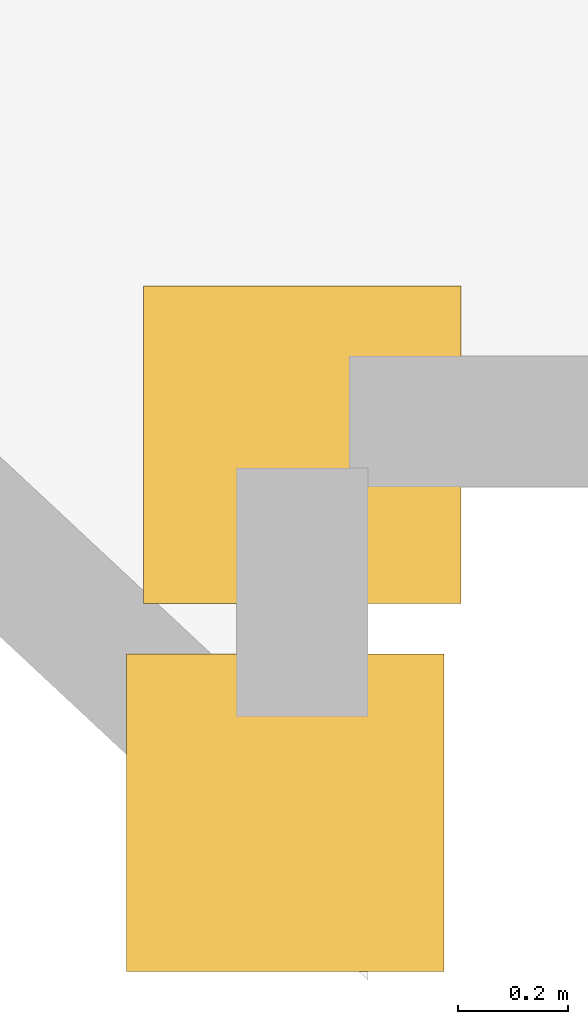
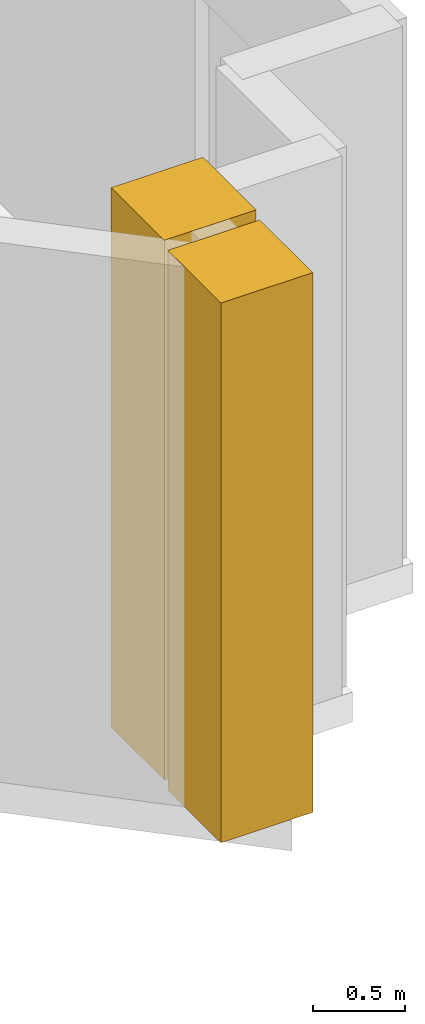
# One storey, part 17 of 17: 2 coverings.
"""IFC4 building model written with IfcOpenShell, lengths in metres."""

from ifc_helpers import new_model, si_unit, direction, frame, origin, origin_2d, place, context, subcontext, project, spatial, rectangle, extrude, material, layer, layer_set, type_object, element, save


model = new_model("IFC4")

# Units and contexts
model_context = context("Model", 3, precision=1e-05, world=origin(), true_north=direction((0.0, 1.0)))
body_context = subcontext(model_context, "Body", "Model", "MODEL_VIEW")
ifc_project = project(units=[si_unit("LENGTHUNIT", "METRE"), si_unit("AREAUNIT", "SQUARE_METRE"), si_unit("VOLUMEUNIT", "CUBIC_METRE"), si_unit("PLANEANGLEUNIT", "RADIAN"), si_unit("MASSUNIT", "GRAM", prefix="KILO")], contexts=[model_context])

# Site, building, storey
site_placement = place(None, origin())
site = spatial("IfcSite", under=ifc_project, at=site_placement, CompositionType="ELEMENT")
building_placement = place(site_placement, origin())
building = spatial("IfcBuilding", under=site, at=building_placement, Name="Haolan Belvedere Tower", CompositionType="ELEMENT")
storey_placement = place(building_placement, frame((0.0, 0.0, 81.800048828125)))
storey = spatial("IfcBuildingStorey", under=building, at=storey_placement, Name="L20", CompositionType="ELEMENT", Elevation=81.800048828125)

# Coverings
ifc_material = material(Name="Pale champagne-silver anodised aluminium rainscreen cladding", Category="aluminium")
ifc_layer = layer(ifc_material, 0.034912109375, Name="Pale champagne-silver anodised aluminium rainscreen cladding")
ifc_layer_set = layer_set([ifc_layer], Name="Pale champagne-silver anodised aluminium rainscreen cladding")
covering_type = type_object("IfcCoveringType", Name="COV-CLAD-35", PredefinedType="CLADDING", material=ifc_layer_set)
for number, where, z_axis, x_axis, name in (
    (1, (73.64892578125, 6.30517578125, 0.0), (0.0, 0.0, 1.0), (1.0, 0.0, 0.0), "L20 pale-metal serrated corner cladding trim 5"),
    (2, (73.679931640625, 6.9775390625, 0.0), (0.0, 0.0, 1.0), (1.0, 0.0, 0.0), "L20 pale-metal serrated corner cladding trim 6"),
):
    element("IfcCovering", number, at=place(storey_placement, frame(where, z_axis=z_axis, x_axis=x_axis)), inside=storey, type_object=covering_type, Name=name, PredefinedType="CLADDING", context=body_context, shape_type="SweptSolid", body=[
        extrude(rectangle(XDim=0.580078125, YDim=0.580078125, at=origin_2d()), origin(), (0.0, 0.0, 1.0), 3.60009765625),
    ])

save(model, "model.ifc")
